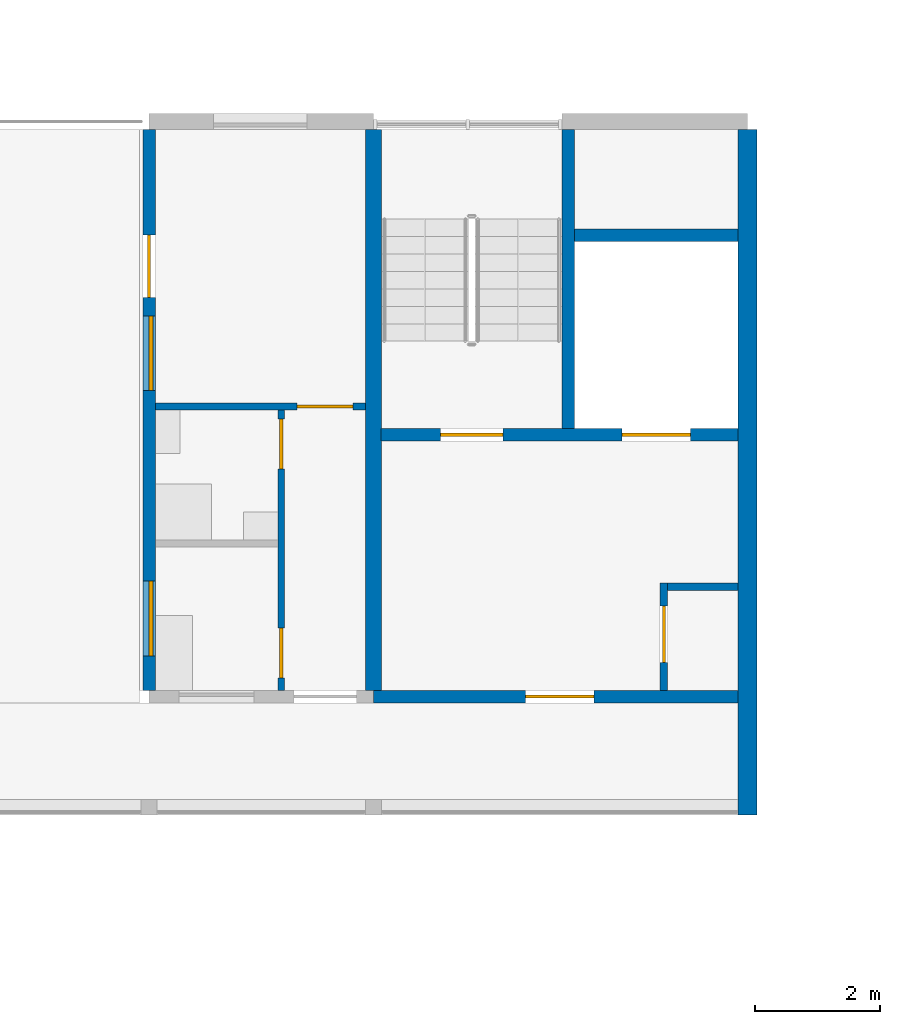
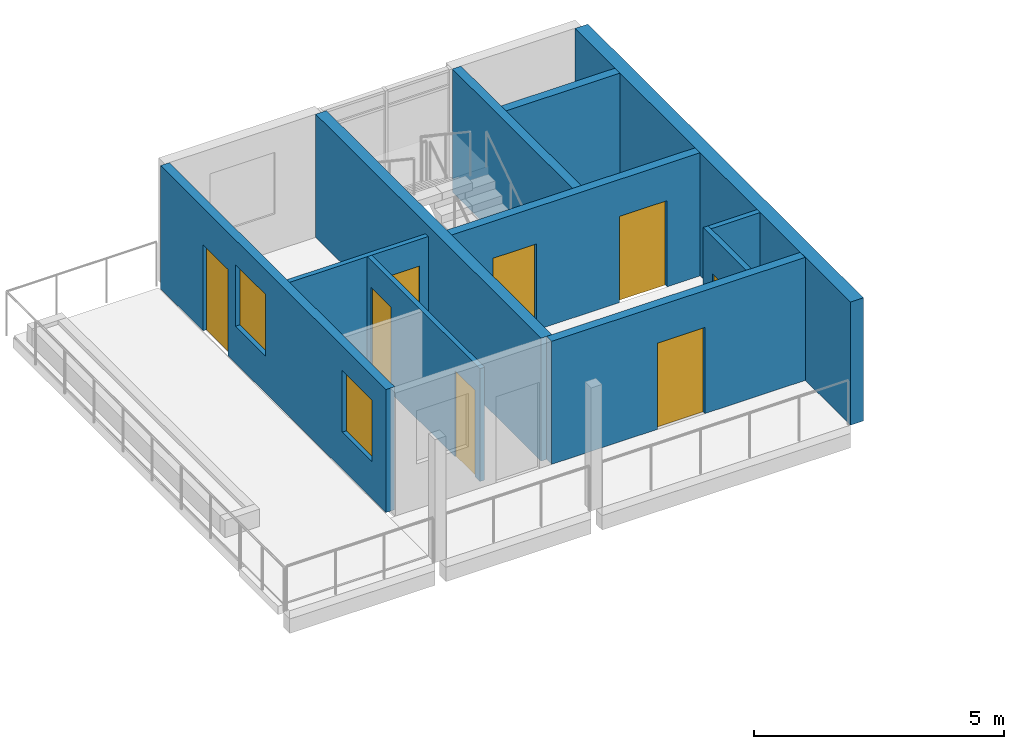
# One storey, part 39 of 64: 11 walls, 8 doors, 2 windows, 10 openings.
"""IFC4 building model written with IfcOpenShell, lengths in metres."""

import ifcopenshell
import ifcopenshell.guid

model = None  # the IFC model being written
_history = None  # IfcOwnerHistory: only IFC2X3 demands one
_inside = {}  # id of a spatial element -> (the spatial element, [elements in it])
_under = {}  # id of a project, library or spatial element -> (it, [spatial elements below it])
_declared = {}  # id of a project -> (the project, [libraries it declares])
_typed = {}  # id of a type object -> (the type object, [elements of that type])
_made_of = {}  # id of a material, layer set ... -> (it, [elements and type objects made of it])


def new_model(schema):
    """Start an empty IFC model of exactly this schema.

    Asked for "IFC4X3", IfcOpenShell would pick the latest addendum, in which some entities
    have other attributes; the version numbers below select the first issue.
    IFC2X3 requires an IfcOwnerHistory on every rooted entity: one is made here for all.
    """
    global model, _history
    if schema == "IFC4X3":
        model = ifcopenshell.file(schema_version=(4, 3, 0, 0))
    else:
        model = ifcopenshell.file(schema=schema)
    _inside.clear()
    _under.clear()
    _declared.clear()
    _typed.clear()
    _made_of.clear()
    _history = None
    if model.schema == "IFC2X3":
        org = make("IfcOrganization", Name="unknown")
        user = make(
            "IfcPersonAndOrganization",
            ThePerson=make("IfcPerson", FamilyName="unknown"),
            TheOrganization=org,
        )
        app = make(
            "IfcApplication",
            ApplicationDeveloper=org,
            Version="unknown",
            ApplicationFullName="unknown",
            ApplicationIdentifier="unknown",
        )
        _history = make(
            "IfcOwnerHistory",
            OwningUser=user,
            OwningApplication=app,
            ChangeAction="ADDED",
            CreationDate=0,
        )
    return model


def make(cls, **values):
    """One entity of the class cls with the attributes given. An attribute that is None is left unset."""
    return model.create_entity(
        cls, **{name: value for name, value in values.items() if value is not None}
    )


def rooted(cls, **values):
    """An entity with a GlobalId (a new one), such as an element, a storey or a relation."""
    return make(cls, GlobalId=ifcopenshell.guid.new(), OwnerHistory=_history, **values)


def si_unit(unit_type, name, prefix=None):
    """IfcSIUnit, for example si_unit("LENGTHUNIT", "METRE", prefix="MILLI")."""
    return make("IfcSIUnit", UnitType=unit_type, Prefix=prefix, Name=name)


def assignment(units):
    """IfcUnitAssignment: the units of a project."""
    return None if units is None else make("IfcUnitAssignment", Units=units)


def point(xyz):
    """IfcCartesianPoint."""
    return None if xyz is None else make("IfcCartesianPoint", Coordinates=xyz)


def direction(xyz):
    """IfcDirection."""
    return None if xyz is None else make("IfcDirection", DirectionRatios=xyz)


def frame(location, z_axis=None, x_axis=None):
    """IfcAxis2Placement3D, a coordinate frame: its origin and axes. An axis left out is left unset."""
    return make(
        "IfcAxis2Placement3D",
        Location=point(location),
        Axis=direction(z_axis),
        RefDirection=direction(x_axis),
    )


def frame_2d(location, x_axis=None):
    """IfcAxis2Placement2D, a coordinate frame in the plane: its origin and x axis."""
    return make(
        "IfcAxis2Placement2D", Location=point(location), RefDirection=direction(x_axis)
    )


def origin():
    """The frame at (0, 0, 0) with its axes left unset."""
    return frame((0.0, 0.0, 0.0))


def place(relative_to, where):
    """IfcLocalPlacement: puts the frame where relative to a parent placement (None: the world)."""
    return make(
        "IfcLocalPlacement", PlacementRelTo=relative_to, RelativePlacement=where
    )


def context(
    kind, dimensions, precision=None, world=None, true_north=None, identifier=None
):
    """IfcGeometricRepresentationContext, for example the 3D "Model" context."""
    return make(
        "IfcGeometricRepresentationContext",
        ContextIdentifier=identifier,
        ContextType=kind,
        CoordinateSpaceDimension=dimensions,
        Precision=precision,
        WorldCoordinateSystem=world,
        TrueNorth=true_north,
    )


def subcontext(parent, identifier, kind, view, scale=None):
    """IfcGeometricRepresentationSubContext, for example "Body" below "Model"."""
    return make(
        "IfcGeometricRepresentationSubContext",
        ContextIdentifier=identifier,
        ContextType=kind,
        ParentContext=parent,
        TargetScale=scale,
        TargetView=view,
    )


def project(units=None, contexts=None):
    """IfcProject with its units and contexts."""
    return rooted(
        "IfcProject",
        Name="project",
        RepresentationContexts=contexts,
        UnitsInContext=assignment(units),
    )


def spatial(cls, under=None, at=None, **own):
    """A site, building, storey or space (cls), placed at a placement, below another one or the project."""
    s = rooted(cls, ObjectPlacement=at, **own)
    if under is not None:
        _under.setdefault(under.id(), (under, []))[1].append(s)
    return s


def profile(cls, at=None, kind="AREA", **sizes):
    """A parametric profile (cls). Its sizes go by their IFC names, for example OverallWidth=200.0."""
    return make(cls, ProfileType=kind, Position=at, **sizes)


def rectangle(**sizes):
    """IfcRectangleProfileDef."""
    return profile("IfcRectangleProfileDef", **sizes)


def extrude(swept, where, along, depth):
    """IfcExtrudedAreaSolid: the profile swept, set in the frame where, extruded along a direction by depth."""
    return make(
        "IfcExtrudedAreaSolid",
        SweptArea=swept,
        Position=where,
        ExtrudedDirection=direction(along),
        Depth=depth,
    )


def shape(context_of_items, identifier, shape_type, items):
    """IfcShapeRepresentation: the items that make up one representation, for example the "Body"."""
    return make(
        "IfcShapeRepresentation",
        ContextOfItems=context_of_items,
        RepresentationIdentifier=identifier,
        RepresentationType=shape_type,
        Items=items,
    )


def material(Name=None, Category=None):
    """IfcMaterial."""
    return make("IfcMaterial", Name=Name, Category=Category)


def layer(
    of_material, thickness, ventilated=None, Name=None, Category=None, Priority=None
):
    """IfcMaterialLayer: one layer of a wall or slab, of a material (None: an air gap)."""
    return make(
        "IfcMaterialLayer",
        Material=of_material,
        LayerThickness=thickness,
        IsVentilated=ventilated,
        Name=Name,
        Category=Category,
        Priority=Priority,
    )


def layer_set(layers, Name=None):
    """IfcMaterialLayerSet."""
    return make("IfcMaterialLayerSet", MaterialLayers=layers, LayerSetName=Name)


def made_of(thing, what):
    """Note that an element or type object is made of a material, layer set ...; save() writes the relation."""
    if what is not None:
        _made_of.setdefault(what.id(), (what, []))[1].append(thing)
    return thing


def type_object(cls, material=None, **own):
    """A type object (cls), such as IfcWallType, which elements share."""
    return made_of(rooted(cls, **own), material)


def element(
    cls,
    number,
    at=None,
    inside=None,
    cuts=None,
    type_object=None,
    material=None,
    context=None,
    identifier="Body",
    shape_type=None,
    held_by="IfcProductDefinitionShape",
    body=None,
    shapes=None,
    **own,
):
    """One element of the class cls, such as IfcWall. Its Tag is "e" and its number.

    at: its placement. inside: the storey or other place that contains it. cuts: it is an
    opening in that element (IfcRelVoidsElement). A single representation is given by context,
    identifier, shape_type and body (its items); several are given by shapes. held_by: the class
    of the entity that holds the representations. save() writes the other relations.
    """
    e = rooted(cls, Tag="e%d" % number, ObjectPlacement=at, **own)
    if body is not None:
        shapes = [shape(context, identifier, shape_type, body)]
    if shapes is not None:
        e.Representation = make(held_by, Representations=shapes)
    if inside is not None:
        _inside.setdefault(inside.id(), (inside, []))[1].append(e)
    if cuts is not None:
        rooted(
            "IfcRelVoidsElement", RelatingBuildingElement=cuts, RelatedOpeningElement=e
        )
    if type_object is not None:
        _typed.setdefault(type_object.id(), (type_object, []))[1].append(e)
    return made_of(e, material)


def fill(opening, filler):
    """IfcRelFillsElement: the door or window that sits in an opening."""
    return rooted(
        "IfcRelFillsElement",
        RelatingOpeningElement=opening,
        RelatedBuildingElement=filler,
    )


def aggregate(whole, parts):
    """IfcRelAggregates: a whole, such as a stair, and the parts it consists of."""
    return rooted("IfcRelAggregates", RelatingObject=whole, RelatedObjects=parts)


def save(model, path):
    """Write the relations noted so far, then the file.

    IfcRelAggregates (storeys below a building ...), IfcRelContainedInSpatialStructure (elements
    in a storey), IfcRelDefinesByType, IfcRelAssociatesMaterial and IfcRelDeclares: one each for
    every whole, place, type object, material and project.
    """
    for whole, parts in _under.values():
        aggregate(whole, parts)
    for where, things in _inside.values():
        rooted(
            "IfcRelContainedInSpatialStructure",
            RelatedElements=things,
            RelatingStructure=where,
        )
    for kind, things in _typed.values():
        rooted("IfcRelDefinesByType", RelatedObjects=things, RelatingType=kind)
    for what, things in _made_of.values():
        rooted("IfcRelAssociatesMaterial", RelatedObjects=things, RelatingMaterial=what)
    for by, libraries in _declared.values():
        rooted("IfcRelDeclares", RelatingContext=by, RelatedDefinitions=libraries)
    model.write(path)


model = new_model("IFC4")

# Units and contexts
model_context = context("Model", 3, precision=1e-05, world=origin(), true_north=direction((0.0, 1.0)))
body_context = subcontext(model_context, "Body", "Model", "MODEL_VIEW")
ifc_project = project(units=[si_unit("LENGTHUNIT", "METRE"), si_unit("AREAUNIT", "SQUARE_METRE"), si_unit("VOLUMEUNIT", "CUBIC_METRE"), si_unit("PLANEANGLEUNIT", "RADIAN"), si_unit("MASSUNIT", "GRAM", prefix="KILO")], contexts=[model_context])

# Site, building, storey
site_placement = place(None, origin())
site = spatial("IfcSite", under=ifc_project, at=site_placement, CompositionType="ELEMENT")
building_placement = place(site_placement, origin())
building = spatial("IfcBuilding", under=site, at=building_placement, Name="Ridgestep Commons", CompositionType="ELEMENT")
storey_placement = place(building_placement, frame((0.0, 0.0, 33.0)))
storey = spatial("IfcBuildingStorey", under=building, at=storey_placement, Name="L11", CompositionType="ELEMENT", Elevation=33.0)

# Wall
ifc_material_1 = material(Name="Concrete C30/37", Category="concrete")
ifc_layer_1 = layer(ifc_material_1, 0.25)
ifc_layer_set_1 = layer_set([ifc_layer_1], Name="Core cross wall 250")
wall_type_1 = type_object("IfcWallType", Name="Core cross wall 250", PredefinedType="SHEAR", material=ifc_layer_set_1)
wall_1_placement = place(storey_placement, frame((224.800048828125, 68.0, 0.0), z_axis=(0.0, 0.0, 1.0), x_axis=(0.0, 1.0, 0.0)))
element("IfcWall", 1, at=wall_1_placement, inside=storey, type_object=wall_type_1, Name="Cross wall C-11-2248", PredefinedType="SHEAR", context=body_context, shape_type="SweptSolid", body=[
    extrude(rectangle(XDim=9.0, YDim=0.25, at=frame_2d((4.5, 0.0))), origin(), (0.0, 0.0, 1.0), 3.0),
])

# Wall, opening, door
ifc_material_2 = material(Name="Concrete C30/37", Category="concrete")
ifc_layer_2 = layer(ifc_material_2, 0.199951171875)
ifc_layer_set_2 = layer_set([ifc_layer_2], Name="Core south wall 200")
wall_type_2 = type_object("IfcWallType", Name="Core south wall 200", PredefinedType="SHEAR", material=ifc_layer_set_2)
wall_2_placement = place(storey_placement, frame((224.800048828125, 67.89990234375, 0.0), z_axis=(0.0, 0.0, 1.0), x_axis=(1.0, 0.0, 0.0)))
wall_2 = element("IfcWall", 2, at=wall_2_placement, inside=storey, type_object=wall_type_2, Name="Core south wall C5C L11", PredefinedType="SHEAR", context=body_context, shape_type="SweptSolid", body=[
    extrude(rectangle(XDim=5.849853515625, YDim=0.199951171875, at=frame_2d((2.9248046875, 0.0))), origin(), (0.0, 0.0, 1.0), 3.0),
])
opening_1_placement = place(wall_2_placement, frame((2.4375, 0.0, 0.0)))
opening_1 = element("IfcOpeningElement", 3, at=opening_1_placement, cuts=wall_2, Name="Opening C5C/11/1", PredefinedType="OPENING", context=body_context, shape_type="SweptSolid", body=[
    extrude(rectangle(XDim=1.10009765625, YDim=2.10009765625, at=frame_2d((0.550048828125, 1.050048828125))), frame((0.0, 0.10986328125, 0.0), z_axis=(0.0, -1.0, 0.0), x_axis=(1.0, 0.0, 0.0)), (0.0, 0.0, 1.0), 0.219970703125),
])
ifc_material_3 = material(Name="Steel fire door", Category="steel")
door_type_1 = type_object("IfcDoorType", Name="Lobby door 1100 x 2100 FD60", OperationType="NOTDEFINED", PredefinedType="DOOR", material=ifc_material_3)
door_1_placement = place(opening_1_placement, origin())
door_1 = element("IfcDoor", 4, at=door_1_placement, inside=storey, type_object=door_type_1, Name="Lobby door C5C/11/1", OperationType="SINGLE_SWING_LEFT", OverallHeight=2.10009765625, OverallWidth=1.10009765625, PredefinedType="DOOR", context=body_context, shape_type="SweptSolid", body=[
    extrude(rectangle(XDim=1.10009765625, YDim=2.10009765625, at=frame_2d((0.550048828125, 1.050048828125))), frame((0.0, 0.02490234375, 0.0), z_axis=(0.0, -1.0, 0.0), x_axis=(1.0, 0.0, 0.0)), (0.0, 0.0, 1.0), 0.050048828125),
])
fill(opening_1, door_1)

ifc_material_4 = material(Name="Concrete C30/37", Category="concrete")
ifc_layer_3 = layer(ifc_material_4, 0.1201171875)
ifc_layer_set_3 = layer_set([ifc_layer_3], Name="Core wall 120")
wall_type_3 = type_object("IfcWallType", Name="Core wall 120", PredefinedType="SHEAR", material=ifc_layer_set_3)
wall_3_placement = place(storey_placement, frame((229.4599609375, 68.0, 0.0), z_axis=(0.0, 0.0, 1.0), x_axis=(0.0, 1.0, 0.0)))
wall_3 = element("IfcWall", 5, at=wall_3_placement, inside=storey, type_object=wall_type_3, Name="Core riser w wall C5C L11", PredefinedType="SHEAR", context=body_context, shape_type="SweptSolid", body=[
    extrude(rectangle(XDim=1.719970703125, YDim=0.1201171875, at=frame_2d((0.85986328125, 0.0))), origin(), (0.0, 0.0, 1.0), 3.0),
])
opening_2_placement = place(wall_3_placement, frame((0.449951171875, 0.0, 0.0)))
opening_2 = element("IfcOpeningElement", 6, at=opening_2_placement, cuts=wall_3, Name="Opening C5C/11/4", PredefinedType="OPENING", context=body_context, shape_type="SweptSolid", body=[
    extrude(rectangle(XDim=0.89990234375, YDim=2.10009765625, at=frame_2d((0.449951171875, 1.050048828125))), frame((0.0, 0.070068359375, 0.0), z_axis=(0.0, -1.0, 0.0), x_axis=(1.0, 0.0, 0.0)), (0.0, 0.0, 1.0), 0.14013671875),
])
ifc_material_5 = material(Name="Steel fire door", Category="steel")
door_type_2 = type_object("IfcDoorType", Name="Riser door 900 x 2100 FD60", OperationType="NOTDEFINED", PredefinedType="DOOR", material=ifc_material_5)
door_2_placement = place(opening_2_placement, origin())
door_2 = element("IfcDoor", 7, at=door_2_placement, inside=storey, type_object=door_type_2, Name="Riser door C5C/11/4", OperationType="SINGLE_SWING_LEFT", OverallHeight=2.10009765625, OverallWidth=0.89990234375, PredefinedType="DOOR", context=body_context, shape_type="SweptSolid", body=[
    extrude(rectangle(XDim=0.89990234375, YDim=2.10009765625, at=frame_2d((0.449951171875, 1.050048828125))), frame((0.0, 0.02490234375, 0.0), z_axis=(0.0, -1.0, 0.0), x_axis=(1.0, 0.0, 0.0)), (0.0, 0.0, 1.0), 0.050048828125),
])
fill(opening_2, door_2)

# Wall
wall_4_placement = place(storey_placement, frame((229.52001953125, 69.659912109375, 0.0), z_axis=(0.0, 0.0, 1.0), x_axis=(1.0, 0.0, 0.0)))
element("IfcWall", 8, at=wall_4_placement, inside=storey, type_object=wall_type_3, Name="Core riser n wall C5C L11", PredefinedType="SHEAR", context=body_context, shape_type="SweptSolid", body=[
    extrude(rectangle(XDim=1.1298828125, YDim=0.1201171875, at=frame_2d((0.56494140625, 0.0))), origin(), (0.0, 0.0, 1.0), 3.0),
])

# Wall, openings, doors
ifc_material_6 = material(Name="Concrete C30/37", Category="concrete")
ifc_layer_4 = layer(ifc_material_6, 0.199951171875)
ifc_layer_set_4 = layer_set([ifc_layer_4], Name="Core wall 200")
wall_type_4 = type_object("IfcWallType", Name="Core wall 200", PredefinedType="SHEAR", material=ifc_layer_set_4)
wall_5_placement = place(storey_placement, frame((224.925048828125, 72.10009765625, 0.0), z_axis=(0.0, 0.0, 1.0), x_axis=(1.0, 0.0, 0.0)))
wall_5 = element("IfcWall", 9, at=wall_5_placement, inside=storey, type_object=wall_type_4, Name="Core lobby wall C5C L11", PredefinedType="SHEAR", context=body_context, shape_type="SweptSolid", body=[
    extrude(rectangle(XDim=5.724853515625, YDim=0.199951171875, at=frame_2d((2.8623046875, 0.0))), origin(), (0.0, 0.0, 1.0), 3.0),
])
opening_3_placement = place(wall_5_placement, frame((0.949951171875, 0.0, 0.0)))
opening_3 = element("IfcOpeningElement", 10, at=opening_3_placement, cuts=wall_5, Name="Opening C5C/11/2", PredefinedType="OPENING", context=body_context, shape_type="SweptSolid", body=[
    extrude(rectangle(XDim=1.0, YDim=2.10009765625, at=frame_2d((0.5, 1.050048828125))), frame((0.0, 0.10986328125, 0.0), z_axis=(0.0, -1.0, 0.0), x_axis=(1.0, 0.0, 0.0)), (0.0, 0.0, 1.0), 0.219970703125),
])
opening_4_placement = place(wall_5_placement, frame((3.862548828125, 0.0, 0.0)))
opening_4 = element("IfcOpeningElement", 11, at=opening_4_placement, cuts=wall_5, Name="Opening C5C/11/3", PredefinedType="OPENING", context=body_context, shape_type="SweptSolid", body=[
    extrude(rectangle(XDim=1.10009765625, YDim=2.10009765625, at=frame_2d((0.550048828125, 1.050048828125))), frame((0.0, 0.10986328125, 0.0), z_axis=(0.0, -1.0, 0.0), x_axis=(1.0, 0.0, 0.0)), (0.0, 0.0, 1.0), 0.219970703125),
])
ifc_material_7 = material(Name="Stainless steel", Category="steel")
door_type_3 = type_object("IfcDoorType", Name="Lift landing door 1100 x 2100 FD60", OperationType="DOUBLE_DOOR_SLIDING", PredefinedType="DOOR", material=ifc_material_7)
door_3_placement = place(opening_4_placement, origin())
door_3 = element("IfcDoor", 12, at=door_3_placement, inside=storey, type_object=door_type_3, Name="Landing door LD C5C L11", OperationType="DOUBLE_DOOR_SLIDING", OverallHeight=2.10009765625, OverallWidth=1.10009765625, PredefinedType="DOOR", context=body_context, shape_type="SweptSolid", body=[
    extrude(rectangle(XDim=1.10009765625, YDim=2.10009765625, at=frame_2d((0.550048828125, 1.050048828125))), frame((0.0, 0.02490234375, 0.0), z_axis=(0.0, -1.0, 0.0), x_axis=(1.0, 0.0, 0.0)), (0.0, 0.0, 1.0), 0.050048828125),
])
fill(opening_4, door_3)
ifc_material_8 = material(Name="Steel fire door", Category="steel")
door_type_4 = type_object("IfcDoorType", Name="Stair door 1000 x 2100 FD60", OperationType="NOTDEFINED", PredefinedType="DOOR", material=ifc_material_8)
door_4_placement = place(opening_3_placement, origin())
door_4 = element("IfcDoor", 13, at=door_4_placement, inside=storey, type_object=door_type_4, Name="Stair door C5C/11/2", OperationType="SINGLE_SWING_RIGHT", OverallHeight=2.10009765625, OverallWidth=1.0, PredefinedType="DOOR", context=body_context, shape_type="SweptSolid", body=[
    extrude(rectangle(XDim=1.0, YDim=2.10009765625, at=frame_2d((0.5, 1.050048828125))), frame((0.0, 0.02490234375, 0.0), z_axis=(0.0, -1.0, 0.0), x_axis=(1.0, 0.0, 0.0)), (0.0, 0.0, 1.0), 0.050048828125),
])
fill(opening_3, door_4)

# Walls
wall_6_placement = place(storey_placement, frame((227.925048828125, 72.199951171875, 0.0), z_axis=(0.0, 0.0, 1.0), x_axis=(0.0, 1.0, 0.0)))
element("IfcWall", 14, at=wall_6_placement, inside=storey, type_object=wall_type_4, Name="Core stair wall C5C L11", PredefinedType="SHEAR", context=body_context, shape_type="SweptSolid", body=[
    extrude(rectangle(XDim=4.800048828125, YDim=0.199951171875, at=frame_2d((2.39990234375, 0.0))), origin(), (0.0, 0.0, 1.0), 3.0),
])
wall_7_placement = place(storey_placement, frame((228.02490234375, 75.300048828125, 0.0), z_axis=(0.0, 0.0, 1.0), x_axis=(1.0, 0.0, 0.0)))
element("IfcWall", 15, at=wall_7_placement, inside=storey, type_object=wall_type_4, Name="Core duct wall C5C L11", PredefinedType="SHEAR", context=body_context, shape_type="SweptSolid", body=[
    extrude(rectangle(XDim=2.625, YDim=0.199951171875, at=frame_2d((1.3125, 0.0))), origin(), (0.0, 0.0, 1.0), 3.0),
])

# Wall, openings, windows, door
ifc_material_9 = material(Name="Precast concrete C40/50", Category="concrete")
ifc_layer_5 = layer(ifc_material_9, 0.199951171875)
ifc_layer_set_5 = layer_set([ifc_layer_5], Name="Exposed cross wall 200")
wall_type_5 = type_object("IfcWallType", Name="Exposed cross wall 200", PredefinedType="SHEAR", material=ifc_layer_set_5)
wall_8_placement = place(storey_placement, frame((221.199951171875, 68.0, 0.0), z_axis=(0.0, 0.0, 1.0), x_axis=(0.0, 1.0, 0.0)))
wall_8 = element("IfcWall", 16, at=wall_8_placement, inside=storey, type_object=wall_type_5, Name="Cross wall C-11-2212", PredefinedType="SHEAR", context=body_context, shape_type="SweptSolid", body=[
    extrude(rectangle(XDim=9.0, YDim=0.199951171875, at=frame_2d((4.5, 0.0))), origin(), (0.0, 0.0, 1.0), 3.0),
])
opening_5_placement = place(wall_8_placement, frame((0.550048828125, 0.0, 0.89990234375)))
opening_5 = element("IfcOpeningElement", 17, at=opening_5_placement, cuts=wall_8, Name="Opening W10", PredefinedType="OPENING", context=body_context, shape_type="SweptSolid", body=[
    extrude(rectangle(XDim=1.199951171875, YDim=1.5, at=frame_2d((0.60009765625, 0.75))), frame((0.0, 0.10986328125, 0.0), z_axis=(0.0, -1.0, 0.0), x_axis=(1.0, 0.0, 0.0)), (0.0, 0.0, 1.0), 0.219970703125),
])
opening_6_placement = place(wall_8_placement, frame((4.8076171875, 0.0, 0.89990234375)))
opening_6 = element("IfcOpeningElement", 18, at=opening_6_placement, cuts=wall_8, Name="Opening W10", PredefinedType="OPENING", context=body_context, shape_type="SweptSolid", body=[
    extrude(rectangle(XDim=1.199951171875, YDim=1.5, at=frame_2d((0.60009765625, 0.75))), frame((0.0, 0.10986328125, 0.0), z_axis=(0.0, -1.0, 0.0), x_axis=(1.0, 0.0, 0.0)), (0.0, 0.0, 1.0), 0.219970703125),
])
opening_7_placement = place(wall_8_placement, frame((6.304931640625, 0.0, 0.0)))
opening_7 = element("IfcOpeningElement", 19, at=opening_7_placement, cuts=wall_8, Name="Opening C5-11a/5", PredefinedType="OPENING", context=body_context, shape_type="SweptSolid", body=[
    extrude(rectangle(XDim=1.0, YDim=2.10009765625, at=frame_2d((0.5, 1.050048828125))), frame((0.0, 0.10986328125, 0.0), z_axis=(0.0, -1.0, 0.0), x_axis=(1.0, 0.0, 0.0)), (0.0, 0.0, 1.0), 0.219970703125),
])
ifc_material_10 = material(Name="Aluminium 6063-T6 and glass", Category="aluminium")
window_type = type_object("IfcWindowType", Name="Flat window 1200 x 1500", PartitioningType="SINGLE_PANEL", PredefinedType="WINDOW", material=ifc_material_10)
window_1_placement = place(opening_5_placement, origin())
window_1 = element("IfcWindow", 20, at=window_1_placement, inside=storey, type_object=window_type, Name="Window C5-11a 3", OverallHeight=1.5, OverallWidth=1.199951171875, PartitioningType="SINGLE_PANEL", PredefinedType="WINDOW", context=body_context, shape_type="SweptSolid", body=[
    extrude(rectangle(XDim=1.199951171875, YDim=1.5, at=frame_2d((0.60009765625, 0.75))), frame((0.0, 0.0, 0.0), z_axis=(0.0, -1.0, 0.0), x_axis=(1.0, 0.0, 0.0)), (0.0, 0.0, 1.0), 0.06005859375),
])
fill(opening_5, window_1)
window_2_placement = place(opening_6_placement, origin())
window_2 = element("IfcWindow", 21, at=window_2_placement, inside=storey, type_object=window_type, Name="Window C5-11a 4", OverallHeight=1.5, OverallWidth=1.199951171875, PartitioningType="SINGLE_PANEL", PredefinedType="WINDOW", context=body_context, shape_type="SweptSolid", body=[
    extrude(rectangle(XDim=1.199951171875, YDim=1.5, at=frame_2d((0.60009765625, 0.75))), frame((0.0, 0.0, 0.0), z_axis=(0.0, -1.0, 0.0), x_axis=(1.0, 0.0, 0.0)), (0.0, 0.0, 1.0), 0.06005859375),
])
fill(opening_6, window_2)
ifc_material_11 = material(Name="Aluminium and glass", Category="aluminium")
door_type_5 = type_object("IfcDoorType", Name="Terrace door 1000 x 2100", OperationType="NOTDEFINED", PredefinedType="DOOR", material=ifc_material_11)
door_5_placement = place(opening_7_placement, origin())
door_5 = element("IfcDoor", 22, at=door_5_placement, inside=storey, type_object=door_type_5, Name="Terrace door C5-11a/5", OperationType="SINGLE_SWING_RIGHT", OverallHeight=2.10009765625, OverallWidth=1.0, PredefinedType="DOOR", context=body_context, shape_type="SweptSolid", body=[
    extrude(rectangle(XDim=1.0, YDim=2.10009765625, at=frame_2d((0.5, 1.050048828125))), frame((0.0, 0.02490234375, 0.0), z_axis=(0.0, -1.0, 0.0), x_axis=(1.0, 0.0, 0.0)), (0.0, 0.0, 1.0), 0.050048828125),
])
fill(opening_7, door_5)

# Wall
ifc_material_12 = material(Name="Precast concrete C40/50", Category="concrete")
ifc_layer_6 = layer(ifc_material_12, 0.300048828125)
ifc_layer_set_6 = layer_set([ifc_layer_6], Name="Exposed division wall 300")
wall_type_6 = type_object("IfcWallType", Name="Exposed division wall 300", PredefinedType="SHEAR", material=ifc_layer_set_6)
wall_9_placement = place(storey_placement, frame((230.800048828125, 66.0, 0.0), z_axis=(0.0, 0.0, 1.0), x_axis=(0.0, 1.0, 0.0)))
element("IfcWall", 23, at=wall_9_placement, inside=storey, type_object=wall_type_6, Name="Cross wall C-11-2308", PredefinedType="SHEAR", context=body_context, shape_type="SweptSolid", body=[
    extrude(rectangle(XDim=11.0, YDim=0.300048828125, at=frame_2d((5.5, 0.0))), origin(), (0.0, 0.0, 1.0), 3.0),
])

# Wall, openings, doors
ifc_material_13 = material(Name="Common brick 110 mm", Category="masonry")
ifc_layer_7 = layer(ifc_material_13, 0.110107421875)
ifc_layer_set_7 = layer_set([ifc_layer_7], Name="Partition 110")
wall_type_7 = type_object("IfcWallType", Name="Partition 110", PredefinedType="PARTITIONING", material=ifc_layer_set_7)
wall_10_placement = place(storey_placement, frame((223.320068359375, 68.0, 0.0), z_axis=(0.0, 0.0, 1.0), x_axis=(0.0, 1.0, 0.0)))
wall_10 = element("IfcWall", 24, at=wall_10_placement, inside=storey, type_object=wall_type_7, Name="Partition C5-11a", PredefinedType="PARTITIONING", context=body_context, shape_type="SweptSolid", body=[
    extrude(rectangle(XDim=4.5, YDim=0.110107421875, at=frame_2d((2.25, 0.0))), origin(), (0.0, 0.0, 1.0), 2.75),
])
opening_8_placement = place(wall_10_placement, frame((0.199951171875, 0.0, 0.0)))
opening_8 = element("IfcOpeningElement", 25, at=opening_8_placement, cuts=wall_10, Name="Opening C5-11a/2", PredefinedType="OPENING", context=body_context, shape_type="SweptSolid", body=[
    extrude(rectangle(XDim=0.800048828125, YDim=2.10009765625, at=frame_2d((0.39990234375, 1.050048828125))), frame((0.0, 0.06494140625, 0.0), z_axis=(0.0, -1.0, 0.0), x_axis=(1.0, 0.0, 0.0)), (0.0, 0.0, 1.0), 0.130126953125),
])
opening_9_placement = place(wall_10_placement, frame((3.550048828125, 0.0, 0.0)))
opening_9 = element("IfcOpeningElement", 26, at=opening_9_placement, cuts=wall_10, Name="Opening C5-11a/3", PredefinedType="OPENING", context=body_context, shape_type="SweptSolid", body=[
    extrude(rectangle(XDim=0.800048828125, YDim=2.10009765625, at=frame_2d((0.39990234375, 1.050048828125))), frame((0.0, 0.06494140625, 0.0), z_axis=(0.0, -1.0, 0.0), x_axis=(1.0, 0.0, 0.0)), (0.0, 0.0, 1.0), 0.130126953125),
])
ifc_material_14 = material(Name="Timber door leaf", Category="wood")
door_type_6 = type_object("IfcDoorType", Name="Internal door 800 x 2100", OperationType="NOTDEFINED", PredefinedType="DOOR", material=ifc_material_14)
door_6_placement = place(opening_8_placement, origin())
door_6 = element("IfcDoor", 27, at=door_6_placement, inside=storey, type_object=door_type_6, Name="Internal door C5-11a/2", OperationType="SINGLE_SWING_LEFT", OverallHeight=2.10009765625, OverallWidth=0.800048828125, PredefinedType="DOOR", context=body_context, shape_type="SweptSolid", body=[
    extrude(rectangle(XDim=0.800048828125, YDim=2.10009765625, at=frame_2d((0.39990234375, 1.050048828125))), frame((0.0, 0.02490234375, 0.0), z_axis=(0.0, -1.0, 0.0), x_axis=(1.0, 0.0, 0.0)), (0.0, 0.0, 1.0), 0.050048828125),
])
fill(opening_8, door_6)
door_7_placement = place(opening_9_placement, origin())
door_7 = element("IfcDoor", 28, at=door_7_placement, inside=storey, type_object=door_type_6, Name="Internal door C5-11a/3", OperationType="SINGLE_SWING_RIGHT", OverallHeight=2.10009765625, OverallWidth=0.800048828125, PredefinedType="DOOR", context=body_context, shape_type="SweptSolid", body=[
    extrude(rectangle(XDim=0.800048828125, YDim=2.10009765625, at=frame_2d((0.39990234375, 1.050048828125))), frame((0.0, 0.02490234375, 0.0), z_axis=(0.0, -1.0, 0.0), x_axis=(1.0, 0.0, 0.0)), (0.0, 0.0, 1.0), 0.050048828125),
])
fill(opening_9, door_7)

# Wall, opening, door
wall_11_placement = place(storey_placement, frame((221.300048828125, 72.554931640625, 0.0), z_axis=(0.0, 0.0, 1.0), x_axis=(1.0, 0.0, 0.0)))
wall_11 = element("IfcWall", 29, at=wall_11_placement, inside=storey, type_object=wall_type_7, Name="Partition C5-11a", PredefinedType="PARTITIONING", context=body_context, shape_type="SweptSolid", body=[
    extrude(rectangle(XDim=3.375, YDim=0.110107421875, at=frame_2d((1.6875, 0.0))), origin(), (0.0, 0.0, 1.0), 2.75),
])
opening_10_placement = place(wall_11_placement, frame((2.27490234375, 0.0, 0.0)))
opening_10 = element("IfcOpeningElement", 30, at=opening_10_placement, cuts=wall_11, Name="Opening C5-11a/4", PredefinedType="OPENING", context=body_context, shape_type="SweptSolid", body=[
    extrude(rectangle(XDim=0.89990234375, YDim=2.10009765625, at=frame_2d((0.449951171875, 1.050048828125))), frame((0.0, 0.06494140625, 0.0), z_axis=(0.0, -1.0, 0.0), x_axis=(1.0, 0.0, 0.0)), (0.0, 0.0, 1.0), 0.130126953125),
])
ifc_material_15 = material(Name="Timber door leaf", Category="wood")
door_type_7 = type_object("IfcDoorType", Name="Internal door 900 x 2100", OperationType="NOTDEFINED", PredefinedType="DOOR", material=ifc_material_15)
door_8_placement = place(opening_10_placement, origin())
door_8 = element("IfcDoor", 31, at=door_8_placement, inside=storey, type_object=door_type_7, Name="Internal door C5-11a/4", OperationType="SINGLE_SWING_LEFT", OverallHeight=2.10009765625, OverallWidth=0.89990234375, PredefinedType="DOOR", context=body_context, shape_type="SweptSolid", body=[
    extrude(rectangle(XDim=0.89990234375, YDim=2.10009765625, at=frame_2d((0.449951171875, 1.050048828125))), frame((0.0, 0.02490234375, 0.0), z_axis=(0.0, -1.0, 0.0), x_axis=(1.0, 0.0, 0.0)), (0.0, 0.0, 1.0), 0.050048828125),
])
fill(opening_10, door_8)

save(model, "model.ifc")
